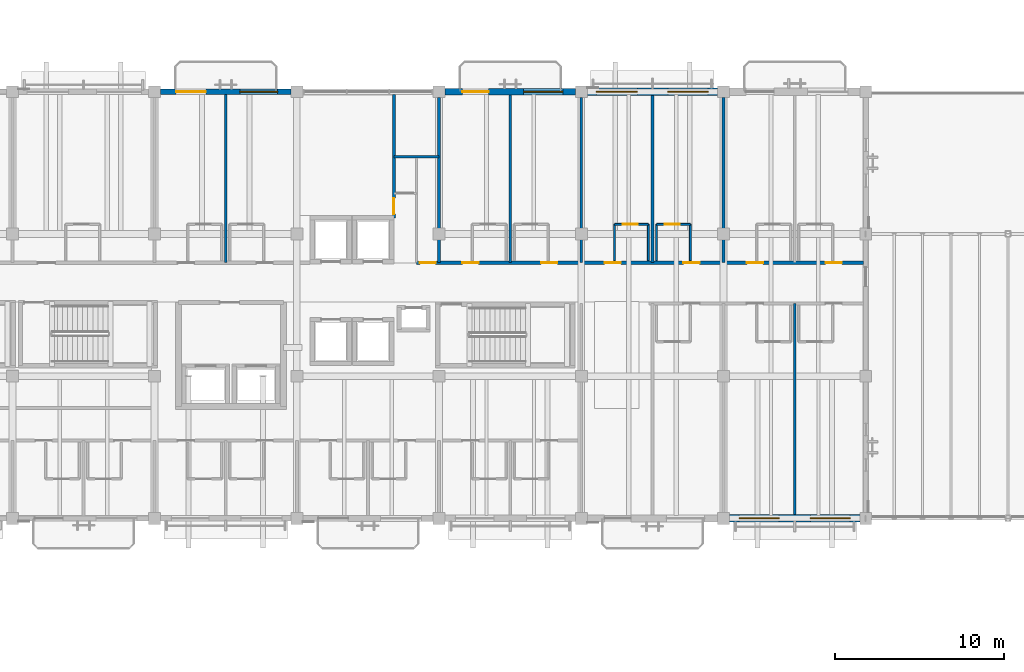
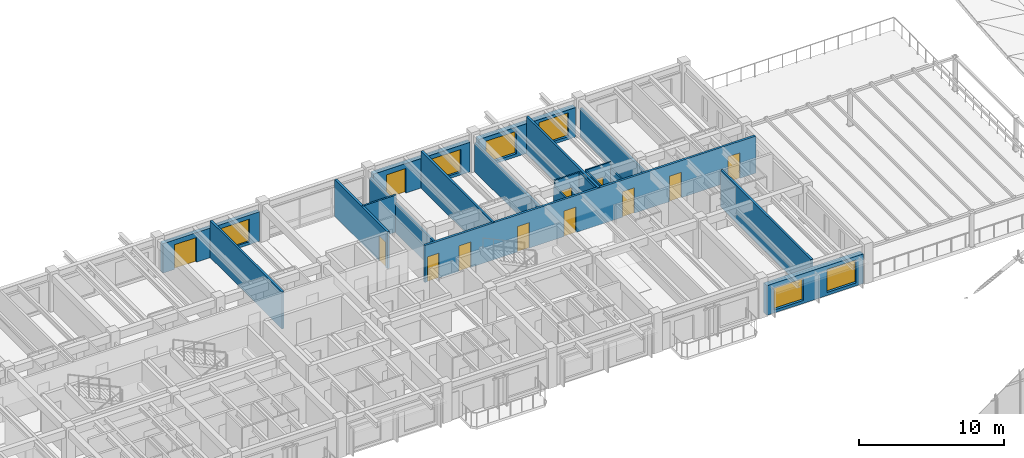
# One storey, part 82 of 93: 20 walls, 12 doors, 6 windows, 18 openings.
"""IFC4 building model written with IfcOpenShell, lengths in metres."""

from ifc_helpers import new_model, si_unit, direction, frame, frame_2d, origin, place, context, subcontext, project, spatial, rectangle, extrude, material, layer, layer_set, type_object, element, fill, save


model = new_model("IFC4")

# Units and contexts
model_context = context("Model", 3, precision=1e-05, world=origin(), true_north=direction((0.0, 1.0)))
body_context = subcontext(model_context, "Body", "Model", "MODEL_VIEW")
ifc_project = project(units=[si_unit("LENGTHUNIT", "METRE"), si_unit("AREAUNIT", "SQUARE_METRE"), si_unit("VOLUMEUNIT", "CUBIC_METRE"), si_unit("PLANEANGLEUNIT", "RADIAN"), si_unit("MASSUNIT", "GRAM", prefix="KILO")], contexts=[model_context])

# Site, building, storey
site_placement = place(None, origin())
site = spatial("IfcSite", under=ifc_project, at=site_placement, CompositionType="ELEMENT")
building_placement = place(site_placement, origin())
building = spatial("IfcBuilding", under=site, at=building_placement, Name="Cumbredor Promenade Congress Hotel", CompositionType="ELEMENT")
storey_placement = place(building_placement, frame((0.0, 0.0, 21.840087890625)))
storey = spatial("IfcBuildingStorey", under=building, at=storey_placement, Name="L06", CompositionType="ELEMENT", Elevation=21.840087890625)

# Wall, opening, door
ifc_material_1 = material(Name="Moisture-resistant gypsum board on steel studs", Category="steel")
ifc_layer_1 = layer(ifc_material_1, 0.114990234375, Name="Moisture-resistant gypsum board on steel studs", Category="steel")
ifc_layer_set_1 = layer_set([ifc_layer_1], Name="Moisture-resistant gypsum board on steel studs")
wall_type_1 = type_object("IfcWallType", Name="WL-BATH-115", PredefinedType="PARTITIONING", material=ifc_layer_set_1)
wall_1_placement = place(storey_placement, frame((52.360107421875, 109.77001953125, 0.0), z_axis=(0.0, 0.0, 1.0), x_axis=(1.0, 0.0, 0.0)))
wall_1 = element("IfcWall", 1, at=wall_1_placement, inside=storey, type_object=wall_type_1, Name="L06 Interior Partition W-L06-BH-0610", PredefinedType="PARTITIONING", context=body_context, shape_type="SweptSolid", body=[
    extrude(rectangle(XDim=2.0, YDim=0.114990234375, at=frame_2d((1.0, 0.0))), origin(), (0.0, 0.0, 1.0), 3.119873046875),
])
opening_1_placement = place(wall_1_placement, frame((0.5, 0.0, 0.0)))
opening_1 = element("IfcOpeningElement", 2, at=opening_1_placement, cuts=wall_1, Name="Opening ID-01", PredefinedType="OPENING", context=body_context, shape_type="SweptSolid", body=[
    extrude(rectangle(XDim=0.860107421875, YDim=2.050048828125, at=frame_2d((0.43017578125, 1.02490234375))), frame((0.0, 0.0673828125, 0.0), z_axis=(0.0, -1.0, 0.0), x_axis=(1.0, 0.0, 0.0)), (0.0, 0.0, 1.0), 0.135009765625),
])
ifc_material_2 = material(Name="Kiln-dried tropical hardwood", Category="wood")
door_type_1 = type_object("IfcDoorType", Name="DR-BATH-860", OperationType="NOTDEFINED", PredefinedType="DOOR", material=ifc_material_2)
door_1_placement = place(opening_1_placement, origin())
door_1 = element("IfcDoor", 3, at=door_1_placement, inside=storey, type_object=door_type_1, Name="L06 Interior Door W-L06-BH-0610-01", OperationType="SINGLE_SWING_RIGHT", OverallHeight=2.050048828125, OverallWidth=0.860107421875, PredefinedType="DOOR", context=body_context, shape_type="SweptSolid", body=[
    extrude(rectangle(XDim=0.860107421875, YDim=2.050048828125, at=frame_2d((0.43017578125, 1.02490234375))), frame((0.0, 0.02490234375, 0.0), z_axis=(0.0, -1.0, 0.0), x_axis=(1.0, 0.0, 0.0)), (0.0, 0.0, 1.0), 0.050048828125),
])
fill(opening_1, door_1)

# Walls
wall_2_placement = place(storey_placement, frame((52.360107421875, 107.6201171875, 0.0), z_axis=(0.0, 0.0, 1.0), x_axis=(0.0, 1.0, 0.0)))
element("IfcWall", 4, at=wall_2_placement, inside=storey, type_object=wall_type_1, Name="L06 Interior Partition W-L06-BV1-0610", PredefinedType="PARTITIONING", context=body_context, shape_type="SweptSolid", body=[
    extrude(rectangle(XDim=2.14990234375, YDim=0.114990234375, at=frame_2d((1.074951171875, 0.0))), origin(), (0.0, 0.0, 1.0), 2.641845703125),
])
wall_3_placement = place(storey_placement, frame((54.360107421875, 107.6201171875, 0.0), z_axis=(0.0, 0.0, 1.0), x_axis=(0.0, 1.0, 0.0)))
element("IfcWall", 5, at=wall_3_placement, inside=storey, type_object=wall_type_1, Name="L06 Interior Partition W-L06-BV2-0610", PredefinedType="PARTITIONING", context=body_context, shape_type="SweptSolid", body=[
    extrude(rectangle(XDim=2.14990234375, YDim=0.114990234375, at=frame_2d((1.074951171875, 0.0))), origin(), (0.0, 0.0, 1.0), 3.119873046875),
])

# Wall, opening, door
wall_4_placement = place(storey_placement, frame((54.840087890625, 109.77001953125, 0.0), z_axis=(0.0, 0.0, 1.0), x_axis=(1.0, 0.0, 0.0)))
wall_4 = element("IfcWall", 6, at=wall_4_placement, inside=storey, type_object=wall_type_1, Name="L06 Interior Partition W-L06-BH-0611", PredefinedType="PARTITIONING", context=body_context, shape_type="SweptSolid", body=[
    extrude(rectangle(XDim=2.0, YDim=0.114990234375, at=frame_2d((1.0, 0.0))), origin(), (0.0, 0.0, 1.0), 3.119873046875),
])
opening_2_placement = place(wall_4_placement, frame((0.5, 0.0, 0.0)))
opening_2 = element("IfcOpeningElement", 7, at=opening_2_placement, cuts=wall_4, Name="Opening ID-01", PredefinedType="OPENING", context=body_context, shape_type="SweptSolid", body=[
    extrude(rectangle(XDim=0.860107421875, YDim=2.050048828125, at=frame_2d((0.43017578125, 1.02490234375))), frame((0.0, 0.0673828125, 0.0), z_axis=(0.0, -1.0, 0.0), x_axis=(1.0, 0.0, 0.0)), (0.0, 0.0, 1.0), 0.135009765625),
])
door_2_placement = place(opening_2_placement, origin())
door_2 = element("IfcDoor", 8, at=door_2_placement, inside=storey, type_object=door_type_1, Name="L06 Interior Door W-L06-BH-0611-01", OperationType="SINGLE_SWING_LEFT", OverallHeight=2.050048828125, OverallWidth=0.860107421875, PredefinedType="DOOR", context=body_context, shape_type="SweptSolid", body=[
    extrude(rectangle(XDim=0.860107421875, YDim=2.050048828125, at=frame_2d((0.43017578125, 1.02490234375))), frame((0.0, 0.02490234375, 0.0), z_axis=(0.0, -1.0, 0.0), x_axis=(1.0, 0.0, 0.0)), (0.0, 0.0, 1.0), 0.050048828125),
])
fill(opening_2, door_2)

# Walls
wall_5_placement = place(storey_placement, frame((54.840087890625, 107.6201171875, 0.0), z_axis=(0.0, 0.0, 1.0), x_axis=(0.0, 1.0, 0.0)))
element("IfcWall", 9, at=wall_5_placement, inside=storey, type_object=wall_type_1, Name="L06 Interior Partition W-L06-BV1-0611", PredefinedType="PARTITIONING", context=body_context, shape_type="SweptSolid", body=[
    extrude(rectangle(XDim=2.14990234375, YDim=0.114990234375, at=frame_2d((1.074951171875, 0.0))), origin(), (0.0, 0.0, 1.0), 3.119873046875),
])
wall_6_placement = place(storey_placement, frame((56.840087890625, 107.6201171875, 0.0), z_axis=(0.0, 0.0, 1.0), x_axis=(0.0, 1.0, 0.0)))
element("IfcWall", 10, at=wall_6_placement, inside=storey, type_object=wall_type_1, Name="L06 Interior Partition W-L06-BV2-0611", PredefinedType="PARTITIONING", context=body_context, shape_type="SweptSolid", body=[
    extrude(rectangle(XDim=2.14990234375, YDim=0.114990234375, at=frame_2d((1.074951171875, 0.0))), origin(), (0.0, 0.0, 1.0), 2.641845703125),
])

# Wall, openings, doors
ifc_material_3 = material(Name="Fire-rated hotel corridor wall")
ifc_layer_2 = layer(ifc_material_3, 0.179931640625, Name="Fire-rated hotel corridor wall")
ifc_layer_set_2 = layer_set([ifc_layer_2], Name="Fire-rated hotel corridor wall")
wall_type_2 = type_object("IfcWallType", Name="WL-CORR-180", PredefinedType="PARTITIONING", material=ifc_layer_set_2)
wall_7_placement = place(storey_placement, frame((40.659912109375, 107.5, 0.0), z_axis=(0.0, 0.0, 1.0), x_axis=(1.0, 0.0, 0.0)))
wall_7 = element("IfcWall", 11, at=wall_7_placement, inside=storey, type_object=wall_type_2, Name="L06 Interior Partition W-L06-CORR-NE", PredefinedType="PARTITIONING", context=body_context, shape_type="SweptSolid", body=[
    extrude(rectangle(XDim=26.400146484375, YDim=0.179931640625, at=frame_2d((13.2001953125, 0.0))), origin(), (0.0, 0.0, 1.0), 3.119873046875),
])
opening_3_placement = place(wall_7_placement, frame((0.199951171875, 0.0, 0.0)))
opening_3 = element("IfcOpeningElement", 12, at=opening_3_placement, cuts=wall_7, Name="Opening FD-03", PredefinedType="OPENING", context=body_context, shape_type="SweptSolid", body=[
    extrude(rectangle(XDim=0.93994140625, YDim=2.10009765625, at=frame_2d((0.469970703125, 1.050048828125))), frame((0.0, 0.10009765625, 0.0), z_axis=(0.0, -1.0, 0.0), x_axis=(1.0, 0.0, 0.0)), (0.0, 0.0, 1.0), 0.199951171875),
])
opening_4_placement = place(wall_7_placement, frame((2.7099609375, 0.0, 0.0)))
opening_4 = element("IfcOpeningElement", 13, at=opening_4_placement, cuts=wall_7, Name="Opening FD-01", PredefinedType="OPENING", context=body_context, shape_type="SweptSolid", body=[
    extrude(rectangle(XDim=0.9599609375, YDim=2.14990234375, at=frame_2d((0.47998046875, 1.074951171875))), frame((0.0, 0.10009765625, 0.0), z_axis=(0.0, -1.0, 0.0), x_axis=(1.0, 0.0, 0.0)), (0.0, 0.0, 1.0), 0.199951171875),
])
opening_5_placement = place(wall_7_placement, frame((7.3701171875, 0.0, 0.0)))
opening_5 = element("IfcOpeningElement", 14, at=opening_5_placement, cuts=wall_7, Name="Opening FD-01", PredefinedType="OPENING", context=body_context, shape_type="SweptSolid", body=[
    extrude(rectangle(XDim=0.9599609375, YDim=2.14990234375, at=frame_2d((0.47998046875, 1.074951171875))), frame((0.0, 0.10009765625, 0.0), z_axis=(0.0, -1.0, 0.0), x_axis=(1.0, 0.0, 0.0)), (0.0, 0.0, 1.0), 0.199951171875),
])
opening_6_placement = place(wall_7_placement, frame((11.110107421875, 0.0, 0.0)))
opening_6 = element("IfcOpeningElement", 15, at=opening_6_placement, cuts=wall_7, Name="Opening FD-01", PredefinedType="OPENING", context=body_context, shape_type="SweptSolid", body=[
    extrude(rectangle(XDim=0.9599609375, YDim=2.14990234375, at=frame_2d((0.47998046875, 1.074951171875))), frame((0.0, 0.10009765625, 0.0), z_axis=(0.0, -1.0, 0.0), x_axis=(1.0, 0.0, 0.0)), (0.0, 0.0, 1.0), 0.199951171875),
])
opening_7_placement = place(wall_7_placement, frame((15.77001953125, 0.0, 0.0)))
opening_7 = element("IfcOpeningElement", 16, at=opening_7_placement, cuts=wall_7, Name="Opening FD-01", PredefinedType="OPENING", context=body_context, shape_type="SweptSolid", body=[
    extrude(rectangle(XDim=0.9599609375, YDim=2.14990234375, at=frame_2d((0.47998046875, 1.074951171875))), frame((0.0, 0.10009765625, 0.0), z_axis=(0.0, -1.0, 0.0), x_axis=(1.0, 0.0, 0.0)), (0.0, 0.0, 1.0), 0.199951171875),
])
opening_8_placement = place(wall_7_placement, frame((19.510009765625, 0.0, 0.0)))
opening_8 = element("IfcOpeningElement", 17, at=opening_8_placement, cuts=wall_7, Name="Opening FD-01", PredefinedType="OPENING", context=body_context, shape_type="SweptSolid", body=[
    extrude(rectangle(XDim=0.9599609375, YDim=2.14990234375, at=frame_2d((0.47998046875, 1.074951171875))), frame((0.0, 0.10009765625, 0.0), z_axis=(0.0, -1.0, 0.0), x_axis=(1.0, 0.0, 0.0)), (0.0, 0.0, 1.0), 0.199951171875),
])
opening_9_placement = place(wall_7_placement, frame((24.169921875, 0.0, 0.0)))
opening_9 = element("IfcOpeningElement", 18, at=opening_9_placement, cuts=wall_7, Name="Opening FD-01", PredefinedType="OPENING", context=body_context, shape_type="SweptSolid", body=[
    extrude(rectangle(XDim=0.9599609375, YDim=2.14990234375, at=frame_2d((0.47998046875, 1.074951171875))), frame((0.0, 0.10009765625, 0.0), z_axis=(0.0, -1.0, 0.0), x_axis=(1.0, 0.0, 0.0)), (0.0, 0.0, 1.0), 0.199951171875),
])
ifc_material_4 = material(Name="Solid-core fire-rated tropical hardwood", Category="wood")
door_type_2 = type_object("IfcDoorType", Name="DR-GUEST-FD30-950", OperationType="NOTDEFINED", PredefinedType="DOOR", material=ifc_material_4)
door_3_placement = place(opening_4_placement, origin())
door_3 = element("IfcDoor", 19, at=door_3_placement, inside=storey, type_object=door_type_2, Name="L06 Interior Door W-L06-CORR-NE-02", OperationType="SINGLE_SWING_LEFT", OverallHeight=2.14990234375, OverallWidth=0.9599609375, PredefinedType="DOOR", context=body_context, shape_type="SweptSolid", body=[
    extrude(rectangle(XDim=0.9599609375, YDim=2.14990234375, at=frame_2d((0.47998046875, 1.074951171875))), frame((0.0, 0.02490234375, 0.0), z_axis=(0.0, -1.0, 0.0), x_axis=(1.0, 0.0, 0.0)), (0.0, 0.0, 1.0), 0.050048828125),
])
fill(opening_4, door_3)
door_4_placement = place(opening_5_placement, origin())
door_4 = element("IfcDoor", 20, at=door_4_placement, inside=storey, type_object=door_type_2, Name="L06 Interior Door W-L06-CORR-NE-03", OperationType="SINGLE_SWING_RIGHT", OverallHeight=2.14990234375, OverallWidth=0.9599609375, PredefinedType="DOOR", context=body_context, shape_type="SweptSolid", body=[
    extrude(rectangle(XDim=0.9599609375, YDim=2.14990234375, at=frame_2d((0.47998046875, 1.074951171875))), frame((0.0, 0.02490234375, 0.0), z_axis=(0.0, -1.0, 0.0), x_axis=(1.0, 0.0, 0.0)), (0.0, 0.0, 1.0), 0.050048828125),
])
fill(opening_5, door_4)
door_5_placement = place(opening_6_placement, origin())
door_5 = element("IfcDoor", 21, at=door_5_placement, inside=storey, type_object=door_type_2, Name="L06 Interior Door W-L06-CORR-NE-04", OperationType="SINGLE_SWING_LEFT", OverallHeight=2.14990234375, OverallWidth=0.9599609375, PredefinedType="DOOR", context=body_context, shape_type="SweptSolid", body=[
    extrude(rectangle(XDim=0.9599609375, YDim=2.14990234375, at=frame_2d((0.47998046875, 1.074951171875))), frame((0.0, 0.02490234375, 0.0), z_axis=(0.0, -1.0, 0.0), x_axis=(1.0, 0.0, 0.0)), (0.0, 0.0, 1.0), 0.050048828125),
])
fill(opening_6, door_5)
door_6_placement = place(opening_7_placement, origin())
door_6 = element("IfcDoor", 22, at=door_6_placement, inside=storey, type_object=door_type_2, Name="L06 Interior Door W-L06-CORR-NE-05", OperationType="SINGLE_SWING_RIGHT", OverallHeight=2.14990234375, OverallWidth=0.9599609375, PredefinedType="DOOR", context=body_context, shape_type="SweptSolid", body=[
    extrude(rectangle(XDim=0.9599609375, YDim=2.14990234375, at=frame_2d((0.47998046875, 1.074951171875))), frame((0.0, 0.02490234375, 0.0), z_axis=(0.0, -1.0, 0.0), x_axis=(1.0, 0.0, 0.0)), (0.0, 0.0, 1.0), 0.050048828125),
])
fill(opening_7, door_6)
door_7_placement = place(opening_8_placement, origin())
door_7 = element("IfcDoor", 23, at=door_7_placement, inside=storey, type_object=door_type_2, Name="L06 Interior Door W-L06-CORR-NE-06", OperationType="SINGLE_SWING_LEFT", OverallHeight=2.14990234375, OverallWidth=0.9599609375, PredefinedType="DOOR", context=body_context, shape_type="SweptSolid", body=[
    extrude(rectangle(XDim=0.9599609375, YDim=2.14990234375, at=frame_2d((0.47998046875, 1.074951171875))), frame((0.0, 0.02490234375, 0.0), z_axis=(0.0, -1.0, 0.0), x_axis=(1.0, 0.0, 0.0)), (0.0, 0.0, 1.0), 0.050048828125),
])
fill(opening_8, door_7)
door_8_placement = place(opening_9_placement, origin())
door_8 = element("IfcDoor", 24, at=door_8_placement, inside=storey, type_object=door_type_2, Name="L06 Interior Door W-L06-CORR-NE-07", OperationType="SINGLE_SWING_RIGHT", OverallHeight=2.14990234375, OverallWidth=0.9599609375, PredefinedType="DOOR", context=body_context, shape_type="SweptSolid", body=[
    extrude(rectangle(XDim=0.9599609375, YDim=2.14990234375, at=frame_2d((0.47998046875, 1.074951171875))), frame((0.0, 0.02490234375, 0.0), z_axis=(0.0, -1.0, 0.0), x_axis=(1.0, 0.0, 0.0)), (0.0, 0.0, 1.0), 0.050048828125),
])
fill(opening_9, door_8)
ifc_material_5 = material(Name="Painted galvanized steel fire door", Category="steel")
door_type_3 = type_object("IfcDoorType", Name="DR-SGL-FD60-950", OperationType="NOTDEFINED", PredefinedType="DOOR", material=ifc_material_5)
door_9_placement = place(opening_3_placement, origin())
door_9 = element("IfcDoor", 25, at=door_9_placement, inside=storey, type_object=door_type_3, Name="L06 Interior Door W-L06-CORR-NE-01", OperationType="SINGLE_SWING_RIGHT", OverallHeight=2.10009765625, OverallWidth=0.93994140625, PredefinedType="DOOR", context=body_context, shape_type="SweptSolid", body=[
    extrude(rectangle(XDim=0.93994140625, YDim=2.10009765625, at=frame_2d((0.469970703125, 1.050048828125))), frame((0.0, 0.02490234375, 0.0), z_axis=(0.0, -1.0, 0.0), x_axis=(1.0, 0.0, 0.0)), (0.0, 0.0, 1.0), 0.050048828125),
])
fill(opening_3, door_9)

# Wall, opening, door
wall_8_placement = place(storey_placement, frame((39.330078125, 110.14990234375, 0.0), z_axis=(0.0, 0.0, 1.0), x_axis=(0.0, 1.0, 0.0)))
wall_8 = element("IfcWall", 26, at=wall_8_placement, inside=storey, type_object=wall_type_2, Name="L06 Interior Partition W-L06-SALON-E", PredefinedType="PARTITIONING", context=body_context, shape_type="SweptSolid", body=[
    extrude(rectangle(XDim=7.275146484375, YDim=0.179931640625, at=frame_2d((3.6376953125, 0.0))), origin(), (0.0, 0.0, 1.0), 3.119873046875),
])
opening_10_placement = place(wall_8_placement, frame((0.219970703125, 0.0, 0.0)))
opening_10 = element("IfcOpeningElement", 27, at=opening_10_placement, cuts=wall_8, Name="Opening FD-03", PredefinedType="OPENING", context=body_context, shape_type="SweptSolid", body=[
    extrude(rectangle(XDim=0.93994140625, YDim=2.10009765625, at=frame_2d((0.469970703125, 1.050048828125))), frame((0.0, 0.10009765625, 0.0), z_axis=(0.0, -1.0, 0.0), x_axis=(1.0, 0.0, 0.0)), (0.0, 0.0, 1.0), 0.199951171875),
])
door_10_placement = place(opening_10_placement, origin())
door_10 = element("IfcDoor", 28, at=door_10_placement, inside=storey, type_object=door_type_3, Name="L06 Interior Door W-L06-SALON-E-01", OperationType="SINGLE_SWING_LEFT", OverallHeight=2.10009765625, OverallWidth=0.93994140625, PredefinedType="DOOR", context=body_context, shape_type="SweptSolid", body=[
    extrude(rectangle(XDim=0.93994140625, YDim=2.10009765625, at=frame_2d((0.469970703125, 1.050048828125))), frame((0.0, 0.02490234375, 0.0), z_axis=(0.0, -1.0, 0.0), x_axis=(1.0, 0.0, 0.0)), (0.0, 0.0, 1.0), 0.050048828125),
])
fill(opening_10, door_10)

# Wall, openings, door, window
ifc_material_6 = material(Name="Concrete C40/50", Category="concrete")
ifc_layer_3 = layer(ifc_material_6, 0.324951171875, Name="Concrete C40/50", Category="concrete")
ifc_layer_set_3 = layer_set([ifc_layer_3], Name="Concrete C40/50")
wall_type_3 = type_object("IfcWallType", Name="WL-EXT-325", PredefinedType="SOLIDWALL", material=ifc_layer_set_3)
wall_9_placement = place(storey_placement, frame((25.551025390625, 117.60009765625, 0.0), z_axis=(0.0, 0.0, 1.0), x_axis=(1.0, 0.0, 0.0)))
wall_9 = element("IfcWall", 29, at=wall_9_placement, inside=storey, type_object=wall_type_3, Name="L06 Stepped Congress Hotel Wing North Envelope Wall 4", PredefinedType="SOLIDWALL", context=body_context, shape_type="SweptSolid", body=[
    extrude(rectangle(XDim=7.697998046875, YDim=0.324951171875, at=frame_2d((3.84912109375, 0.0))), origin(), (0.0, 0.0, 1.0), 2.493896484375),
])
opening_11_placement = place(wall_9_placement, frame((0.924072265625, 0.0, 0.0)))
opening_11 = element("IfcOpeningElement", 30, at=opening_11_placement, cuts=wall_9, Name="Opening TD-03", PredefinedType="OPENING", context=body_context, shape_type="SweptSolid", body=[
    extrude(rectangle(XDim=1.75, YDim=2.080078125, at=frame_2d((0.875, 1.0400390625))), frame((0.0, 0.17236328125, 0.0), z_axis=(0.0, -1.0, 0.0), x_axis=(1.0, 0.0, 0.0)), (0.0, 0.0, 1.0), 0.344970703125),
])
opening_12_placement = place(wall_9_placement, frame((4.68896484375, 0.0, 0.25)))
opening_12 = element("IfcOpeningElement", 31, at=opening_12_placement, cuts=wall_9, Name="Opening WN-35", PredefinedType="OPENING", context=body_context, shape_type="SweptSolid", body=[
    extrude(rectangle(XDim=2.219970703125, YDim=1.89990234375, at=frame_2d((1.10986328125, 0.949951171875))), frame((0.0, 0.17236328125, 0.0), z_axis=(0.0, -1.0, 0.0), x_axis=(1.0, 0.0, 0.0)), (0.0, 0.0, 1.0), 0.344970703125),
])
ifc_material_7 = material(Name="Thermally broken anodized aluminium and laminated safety glass", Category="aluminium")
door_type_4 = type_object("IfcDoorType", Name="EXT-DR-TER-1750x2080", OperationType="DOUBLE_DOOR_SINGLE_SWING", PredefinedType="DOOR", material=ifc_material_7)
door_11_placement = place(opening_11_placement, origin())
door_11 = element("IfcDoor", 32, at=door_11_placement, inside=storey, type_object=door_type_4, Name="L06 Guestroom Veranda Balcony Door 071", OperationType="DOUBLE_DOOR_SINGLE_SWING", OverallHeight=2.080078125, OverallWidth=1.75, PredefinedType="DOOR", context=body_context, shape_type="SweptSolid", body=[
    extrude(rectangle(XDim=1.75, YDim=2.080078125, at=frame_2d((0.875, 1.0400390625))), frame((0.0, 0.02490234375, 0.0), z_axis=(0.0, -1.0, 0.0), x_axis=(1.0, 0.0, 0.0)), (0.0, 0.0, 1.0), 0.050048828125),
])
fill(opening_11, door_11)
ifc_material_8 = material(Name="Thermally broken anodized aluminium and low-E glass", Category="aluminium")
window_type_1 = type_object("IfcWindowType", Name="Hospitality Floor-to-Ceiling Window WN-35 2220x1900", PartitioningType="DOUBLE_PANEL_VERTICAL", PredefinedType="WINDOW", material=ifc_material_8)
window_1_placement = place(opening_12_placement, origin())
window_1 = element("IfcWindow", 33, at=window_1_placement, inside=storey, type_object=window_type_1, Name="L06 Veranda Companion Floor-to-Ceiling Window 0600", OverallHeight=1.89990234375, OverallWidth=2.219970703125, PartitioningType="DOUBLE_PANEL_VERTICAL", PredefinedType="WINDOW", context=body_context, shape_type="SweptSolid", body=[
    extrude(rectangle(XDim=2.219970703125, YDim=1.89990234375, at=frame_2d((1.10986328125, 0.949951171875))), frame((0.0, 0.030029296875, 0.0), z_axis=(0.0, -1.0, 0.0), x_axis=(1.0, 0.0, 0.0)), (0.0, 0.0, 1.0), 0.06005859375),
])
fill(opening_12, window_1)

ifc_layer_4 = layer(ifc_material_6, 0.3798828125, Name="Concrete C40/50", Category="concrete")
ifc_layer_set_4 = layer_set([ifc_layer_4], Name="Concrete C40/50")
wall_type_4 = type_object("IfcWallType", Name="WL-EXT-380", PredefinedType="SOLIDWALL", material=ifc_layer_set_4)
wall_10_placement = place(storey_placement, frame((42.35107421875, 117.60009765625, 0.0), z_axis=(0.0, 0.0, 1.0), x_axis=(1.0, 0.0, 0.0)))
wall_10 = element("IfcWall", 34, at=wall_10_placement, inside=storey, type_object=wall_type_4, Name="L06 Stepped Congress Hotel Wing North Envelope Wall 6", PredefinedType="SOLIDWALL", context=body_context, shape_type="SweptSolid", body=[
    extrude(rectangle(XDim=7.697998046875, YDim=0.3798828125, at=frame_2d((3.84912109375, 0.0))), origin(), (0.0, 0.0, 1.0), 2.493896484375),
])
opening_13_placement = place(wall_10_placement, frame((1.02392578125, 0.0, 0.0)))
opening_13 = element("IfcOpeningElement", 35, at=opening_13_placement, cuts=wall_10, Name="Opening TD-01", PredefinedType="OPENING", context=body_context, shape_type="SweptSolid", body=[
    extrude(rectangle(XDim=1.550048828125, YDim=2.080078125, at=frame_2d((0.77490234375, 1.0400390625))), frame((0.0, 0.199951171875, 0.0), z_axis=(0.0, -1.0, 0.0), x_axis=(1.0, 0.0, 0.0)), (0.0, 0.0, 1.0), 0.39990234375),
])
opening_14_placement = place(wall_10_placement, frame((4.638916015625, 0.0, 0.25)))
opening_14 = element("IfcOpeningElement", 36, at=opening_14_placement, cuts=wall_10, Name="Opening WN-36", PredefinedType="OPENING", context=body_context, shape_type="SweptSolid", body=[
    extrude(rectangle(XDim=2.320068359375, YDim=1.89990234375, at=frame_2d((1.16015625, 0.949951171875))), frame((0.0, 0.199951171875, 0.0), z_axis=(0.0, -1.0, 0.0), x_axis=(1.0, 0.0, 0.0)), (0.0, 0.0, 1.0), 0.39990234375),
])
door_type_5 = type_object("IfcDoorType", Name="EXT-DR-TER-1550x2080", OperationType="DOUBLE_DOOR_SINGLE_SWING", PredefinedType="DOOR", material=ifc_material_7)
door_12_placement = place(opening_13_placement, origin())
door_12 = element("IfcDoor", 37, at=door_12_placement, inside=storey, type_object=door_type_5, Name="L06 Guestroom Veranda Balcony Door 072", OperationType="DOUBLE_DOOR_SINGLE_SWING", OverallHeight=2.080078125, OverallWidth=1.550048828125, PredefinedType="DOOR", context=body_context, shape_type="SweptSolid", body=[
    extrude(rectangle(XDim=1.550048828125, YDim=2.080078125, at=frame_2d((0.77490234375, 1.0400390625))), frame((0.0, 0.02490234375, 0.0), z_axis=(0.0, -1.0, 0.0), x_axis=(1.0, 0.0, 0.0)), (0.0, 0.0, 1.0), 0.050048828125),
])
fill(opening_13, door_12)
window_type_2 = type_object("IfcWindowType", Name="Hospitality Floor-to-Ceiling Window WN-36 2320x1900", PartitioningType="DOUBLE_PANEL_VERTICAL", PredefinedType="WINDOW", material=ifc_material_8)
window_2_placement = place(opening_14_placement, origin())
window_2 = element("IfcWindow", 38, at=window_2_placement, inside=storey, type_object=window_type_2, Name="L06 Veranda Companion Floor-to-Ceiling Window 0601", OverallHeight=1.89990234375, OverallWidth=2.320068359375, PartitioningType="DOUBLE_PANEL_VERTICAL", PredefinedType="WINDOW", context=body_context, shape_type="SweptSolid", body=[
    extrude(rectangle(XDim=2.320068359375, YDim=1.89990234375, at=frame_2d((1.16015625, 0.949951171875))), frame((0.0, 0.030029296875, 0.0), z_axis=(0.0, -1.0, 0.0), x_axis=(1.0, 0.0, 0.0)), (0.0, 0.0, 1.0), 0.06005859375),
])
fill(opening_14, window_2)

# Wall, openings, windows
ifc_layer_5 = layer(ifc_material_6, 0.425048828125, Name="Concrete C40/50", Category="concrete")
ifc_layer_set_5 = layer_set([ifc_layer_5], Name="Concrete C40/50")
wall_type_5 = type_object("IfcWallType", Name="WL-EXT-425", PredefinedType="SOLIDWALL", material=ifc_layer_set_5)
wall_11_placement = place(storey_placement, frame((50.7509765625, 117.60009765625, 0.0), z_axis=(0.0, 0.0, 1.0), x_axis=(1.0, 0.0, 0.0)))
wall_11 = element("IfcWall", 39, at=wall_11_placement, inside=storey, type_object=wall_type_5, Name="L06 Stepped Congress Hotel Wing North Envelope Wall 7", PredefinedType="SOLIDWALL", context=body_context, shape_type="SweptSolid", body=[
    extrude(rectangle(XDim=7.697998046875, YDim=0.425048828125, at=frame_2d((3.84912109375, 0.0))), origin(), (0.0, 0.0, 1.0), 2.493896484375),
])
opening_15_placement = place(wall_11_placement, frame((0.5390625, 0.0, 0.25)))
opening_15 = element("IfcOpeningElement", 40, at=opening_15_placement, cuts=wall_11, Name="Opening WN-37", PredefinedType="OPENING", context=body_context, shape_type="SweptSolid", body=[
    extrude(rectangle(XDim=2.419921875, YDim=1.89990234375, at=frame_2d((1.2099609375, 0.949951171875))), frame((0.0, 0.22265625, 0.0), z_axis=(0.0, -1.0, 0.0), x_axis=(1.0, 0.0, 0.0)), (0.0, 0.0, 1.0), 0.445068359375),
])
opening_16_placement = place(wall_11_placement, frame((4.759033203125, 0.0, 0.25)))
opening_16 = element("IfcOpeningElement", 41, at=opening_16_placement, cuts=wall_11, Name="Opening WN-41", PredefinedType="OPENING", context=body_context, shape_type="SweptSolid", body=[
    extrude(rectangle(XDim=2.3798828125, YDim=2.0, at=frame_2d((1.18994140625, 1.0))), frame((0.0, 0.22265625, 0.0), z_axis=(0.0, -1.0, 0.0), x_axis=(1.0, 0.0, 0.0)), (0.0, 0.0, 1.0), 0.445068359375),
])
window_type_3 = type_object("IfcWindowType", Name="Hospitality Floor-to-Ceiling Window WN-37 2420x1900", PartitioningType="DOUBLE_PANEL_VERTICAL", PredefinedType="WINDOW", material=ifc_material_8)
window_3_placement = place(opening_15_placement, origin())
window_3 = element("IfcWindow", 42, at=window_3_placement, inside=storey, type_object=window_type_3, Name="L06 Wide Hospitality Window 0602", OverallHeight=1.89990234375, OverallWidth=2.419921875, PartitioningType="DOUBLE_PANEL_VERTICAL", PredefinedType="WINDOW", context=body_context, shape_type="SweptSolid", body=[
    extrude(rectangle(XDim=2.419921875, YDim=1.89990234375, at=frame_2d((1.2099609375, 0.949951171875))), frame((0.0, 0.030029296875, 0.0), z_axis=(0.0, -1.0, 0.0), x_axis=(1.0, 0.0, 0.0)), (0.0, 0.0, 1.0), 0.06005859375),
])
fill(opening_15, window_3)
window_type_4 = type_object("IfcWindowType", Name="Hospitality Floor-to-Ceiling Window WN-41 2380x2000", PartitioningType="DOUBLE_PANEL_VERTICAL", PredefinedType="WINDOW", material=ifc_material_8)
window_4_placement = place(opening_16_placement, origin())
window_4 = element("IfcWindow", 43, at=window_4_placement, inside=storey, type_object=window_type_4, Name="L06 Wide Hospitality Window 0603", OverallHeight=2.0, OverallWidth=2.3798828125, PartitioningType="DOUBLE_PANEL_VERTICAL", PredefinedType="WINDOW", context=body_context, shape_type="SweptSolid", body=[
    extrude(rectangle(XDim=2.3798828125, YDim=2.0, at=frame_2d((1.18994140625, 1.0))), frame((0.0, 0.030029296875, 0.0), z_axis=(0.0, -1.0, 0.0), x_axis=(1.0, 0.0, 0.0)), (0.0, 0.0, 1.0), 0.06005859375),
])
fill(opening_16, window_4)

ifc_layer_6 = layer(ifc_material_6, 0.449951171875, Name="Concrete C40/50", Category="concrete")
ifc_layer_set_6 = layer_set([ifc_layer_6], Name="Concrete C40/50")
wall_type_6 = type_object("IfcWallType", Name="WL-EXT-450", PredefinedType="SOLIDWALL", material=ifc_layer_set_6)
wall_12_placement = place(storey_placement, frame((59.15087890625, 92.39990234375, 0.0), z_axis=(0.0, 0.0, 1.0), x_axis=(1.0, 0.0, 0.0)))
wall_12 = element("IfcWall", 44, at=wall_12_placement, inside=storey, type_object=wall_type_6, Name="L06 Stepped Congress Hotel Wing South Envelope Wall 8", PredefinedType="SOLIDWALL", context=body_context, shape_type="SweptSolid", body=[
    extrude(rectangle(XDim=7.6982421875, YDim=0.449951171875, at=frame_2d((3.84912109375, 0.0))), origin(), (0.0, 0.0, 1.0), 2.493896484375),
])
opening_17_placement = place(wall_12_placement, frame((0.573974609375, 0.0, 0.25)))
opening_17 = element("IfcOpeningElement", 45, at=opening_17_placement, cuts=wall_12, Name="Opening WN-02", PredefinedType="OPENING", context=body_context, shape_type="SweptSolid", body=[
    extrude(rectangle(XDim=2.35009765625, YDim=1.85009765625, at=frame_2d((1.175048828125, 0.925048828125))), frame((0.0, 0.23486328125, 0.0), z_axis=(0.0, -1.0, 0.0), x_axis=(1.0, 0.0, 0.0)), (0.0, 0.0, 1.0), 0.469970703125),
])
opening_18_placement = place(wall_12_placement, frame((4.77392578125, 0.0, 0.25)))
opening_18 = element("IfcOpeningElement", 46, at=opening_18_placement, cuts=wall_12, Name="Opening WN-08", PredefinedType="OPENING", context=body_context, shape_type="SweptSolid", body=[
    extrude(rectangle(XDim=2.35009765625, YDim=1.949951171875, at=frame_2d((1.175048828125, 0.97509765625))), frame((0.0, 0.23486328125, 0.0), z_axis=(0.0, -1.0, 0.0), x_axis=(1.0, 0.0, 0.0)), (0.0, 0.0, 1.0), 0.469970703125),
])
window_type_5 = type_object("IfcWindowType", Name="Hospitality Floor-to-Ceiling Window WN-02 2350x1850", PartitioningType="DOUBLE_PANEL_VERTICAL", PredefinedType="WINDOW", material=ifc_material_8)
window_5_placement = place(opening_17_placement, origin())
window_5 = element("IfcWindow", 47, at=window_5_placement, inside=storey, type_object=window_type_5, Name="L06 Wide Hospitality Window 0593", OverallHeight=1.85009765625, OverallWidth=2.35009765625, PartitioningType="DOUBLE_PANEL_VERTICAL", PredefinedType="WINDOW", context=body_context, shape_type="SweptSolid", body=[
    extrude(rectangle(XDim=2.35009765625, YDim=1.85009765625, at=frame_2d((1.175048828125, 0.925048828125))), frame((0.0, 0.030029296875, 0.0), z_axis=(0.0, -1.0, 0.0), x_axis=(1.0, 0.0, 0.0)), (0.0, 0.0, 1.0), 0.06005859375),
])
fill(opening_17, window_5)
window_type_6 = type_object("IfcWindowType", Name="Hospitality Floor-to-Ceiling Window WN-08 2350x1950", PartitioningType="DOUBLE_PANEL_VERTICAL", PredefinedType="WINDOW", material=ifc_material_8)
window_6_placement = place(opening_18_placement, origin())
window_6 = element("IfcWindow", 48, at=window_6_placement, inside=storey, type_object=window_type_6, Name="L06 Wide Hospitality Window 0594", OverallHeight=1.949951171875, OverallWidth=2.35009765625, PartitioningType="DOUBLE_PANEL_VERTICAL", PredefinedType="WINDOW", context=body_context, shape_type="SweptSolid", body=[
    extrude(rectangle(XDim=2.35009765625, YDim=1.949951171875, at=frame_2d((1.175048828125, 0.97509765625))), frame((0.0, 0.030029296875, 0.0), z_axis=(0.0, -1.0, 0.0), x_axis=(1.0, 0.0, 0.0)), (0.0, 0.0, 1.0), 0.06005859375),
])
fill(opening_18, window_6)

# Walls
ifc_material_9 = material(Name="Acoustic gypsum partition on steel studs", Category="steel")
ifc_layer_7 = layer(ifc_material_9, 0.139892578125, Name="Acoustic gypsum partition on steel studs", Category="steel")
ifc_layer_set_7 = layer_set([ifc_layer_7], Name="Acoustic gypsum partition on steel studs")
wall_type_7 = type_object("IfcWallType", Name="WL-PART-140", PredefinedType="PARTITIONING", material=ifc_layer_set_7)
wall_13_placement = place(storey_placement, frame((39.330078125, 113.75, 0.0), z_axis=(0.0, 0.0, 1.0), x_axis=(1.0, 0.0, 0.0)))
element("IfcWall", 49, at=wall_13_placement, inside=storey, type_object=wall_type_7, Name="L06 Interior Partition W-L06-HK-N", PredefinedType="PARTITIONING", context=body_context, shape_type="SweptSolid", body=[
    extrude(rectangle(XDim=2.669921875, YDim=0.139892578125, at=frame_2d((1.3349609375, 0.0))), origin(), (0.0, 0.0, 1.0), 3.119873046875),
])
ifc_material_10 = material(Name="Fire-rated acoustic double-stud partition")
ifc_layer_8 = layer(ifc_material_10, 0.1650390625, Name="Fire-rated acoustic double-stud partition")
ifc_layer_set_8 = layer_set([ifc_layer_8], Name="Fire-rated acoustic double-stud partition")
wall_type_8 = type_object("IfcWallType", Name="WL-UNIT-165", PredefinedType="PARTITIONING", material=ifc_layer_set_8)
wall_14_placement = place(storey_placement, frame((29.39990234375, 107.5, 0.0), z_axis=(0.0, 0.0, 1.0), x_axis=(0.0, 1.0, 0.0)))
element("IfcWall", 50, at=wall_14_placement, inside=storey, type_object=wall_type_8, Name="L06 Interior Partition W-L06-N-DIV-3-M", PredefinedType="PARTITIONING", context=body_context, shape_type="SweptSolid", body=[
    extrude(rectangle(XDim=9.9375, YDim=0.1650390625, at=frame_2d((4.96875, 0.0))), origin(), (0.0, 0.0, 1.0), 3.119873046875),
])
wall_15_placement = place(storey_placement, frame((46.199951171875, 107.5, 0.0), z_axis=(0.0, 0.0, 1.0), x_axis=(0.0, 1.0, 0.0)))
element("IfcWall", 51, at=wall_15_placement, inside=storey, type_object=wall_type_8, Name="L06 Interior Partition W-L06-N-DIV-5-M", PredefinedType="PARTITIONING", context=body_context, shape_type="SweptSolid", body=[
    extrude(rectangle(XDim=9.909912109375, YDim=0.1650390625, at=frame_2d((4.955078125, 0.0))), origin(), (0.0, 0.0, 1.0), 3.119873046875),
])
wall_16_placement = place(storey_placement, frame((42.0, 107.5, 0.0), z_axis=(0.0, 0.0, 1.0), x_axis=(0.0, 1.0, 0.0)))
element("IfcWall", 52, at=wall_16_placement, inside=storey, type_object=wall_type_8, Name="L06 Interior Partition W-L06-N-DIV-5-G", PredefinedType="PARTITIONING", context=body_context, shape_type="SweptSolid", body=[
    extrude(rectangle(XDim=9.75, YDim=0.1650390625, at=frame_2d((4.875, 0.0))), origin(), (0.0, 0.0, 1.0), 2.454833984375),
])
wall_17_placement = place(storey_placement, frame((54.60009765625, 107.5, 0.0), z_axis=(0.0, 0.0, 1.0), x_axis=(0.0, 1.0, 0.0)))
element("IfcWall", 53, at=wall_17_placement, inside=storey, type_object=wall_type_8, Name="L06 Interior Partition W-L06-N-DIV-6-M", PredefinedType="PARTITIONING", context=body_context, shape_type="SweptSolid", body=[
    extrude(rectangle(XDim=9.887451171875, YDim=0.1650390625, at=frame_2d((4.94384765625, 0.0))), origin(), (0.0, 0.0, 1.0), 3.119873046875),
])
for number, where, z_axis, x_axis, name in (
    (54, (50.39990234375, 107.5, 0.0), (0.0, 0.0, 1.0), (0.0, 1.0, 0.0), "L06 Interior Partition W-L06-N-DIV-6-G"),
    (55, (58.800048828125, 107.5, 0.0), (0.0, 0.0, 1.0), (0.0, 1.0, 0.0), "L06 Interior Partition W-L06-N-DIV-7-G"),
):
    element("IfcWall", number, at=place(storey_placement, frame(where, z_axis=z_axis, x_axis=x_axis)), inside=storey, type_object=wall_type_8, Name=name, PredefinedType="PARTITIONING", context=body_context, shape_type="SweptSolid", body=[
        extrude(rectangle(XDim=9.75, YDim=0.1650390625, at=frame_2d((4.875, 0.0))), origin(), (0.0, 0.0, 1.0), 2.454833984375),
    ])
wall_18_placement = place(storey_placement, frame((63.0, 92.625, 0.0), z_axis=(0.0, 0.0, 1.0), x_axis=(0.0, 1.0, 0.0)))
element("IfcWall", 56, at=wall_18_placement, inside=storey, type_object=wall_type_8, Name="L06 Interior Partition W-L06-SE-DIV-1-M", PredefinedType="PARTITIONING", context=body_context, shape_type="SweptSolid", body=[
    extrude(rectangle(XDim=12.47509765625, YDim=0.1650390625, at=frame_2d((6.237548828125, 0.0))), origin(), (0.0, 0.0, 1.0), 3.119873046875),
])

save(model, "model.ifc")
